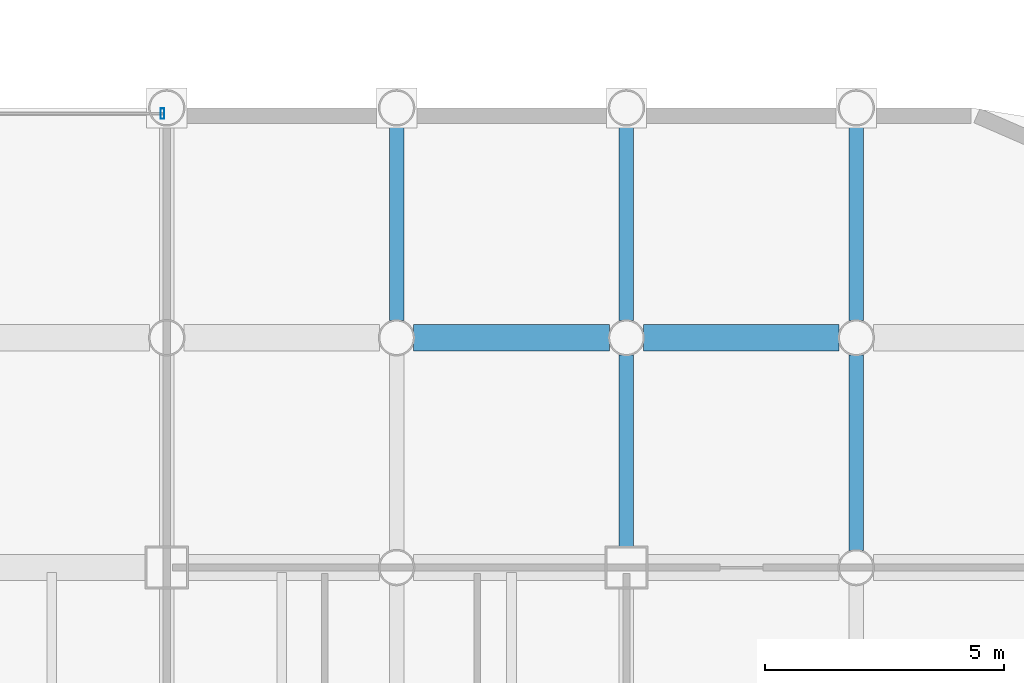
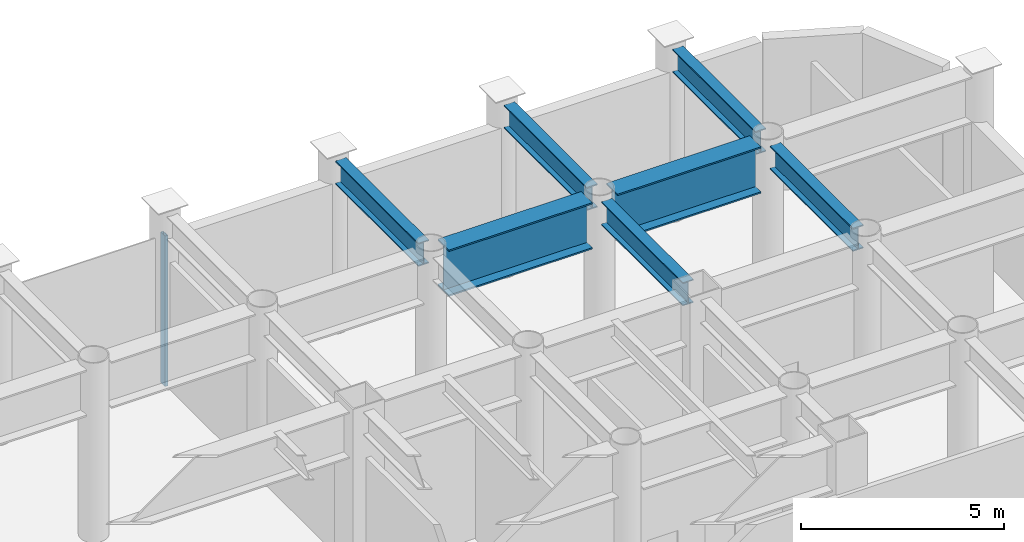
# One storey, part 12 of 20: 7 beams, 1 member, 1 element without a shape of its own.
"""IFC4 building model written with IfcOpenShell, lengths in metres."""

from ifc_helpers import new_model, si_unit, direction, frame, origin, origin_2d, place, context, subcontext, project, spatial, hollow_rectangle, i_section, extrude, material, layer, layer_set, material_profile, profile_set, type_object, element, aggregate, save


model = new_model("IFC4")

# Units and contexts
model_context = context("Model", 3, precision=1e-05, world=origin(), true_north=direction((0.0, 1.0)))
body_context = subcontext(model_context, "Body", "Model", "MODEL_VIEW")
ifc_project = project(units=[si_unit("LENGTHUNIT", "METRE"), si_unit("AREAUNIT", "SQUARE_METRE"), si_unit("VOLUMEUNIT", "CUBIC_METRE"), si_unit("PLANEANGLEUNIT", "RADIAN"), si_unit("MASSUNIT", "GRAM", prefix="KILO")], contexts=[model_context])

# Site, building, storey
site_placement = place(None, origin())
site = spatial("IfcSite", under=ifc_project, at=site_placement, CompositionType="ELEMENT")
building_placement = place(site_placement, origin())
building = spatial("IfcBuilding", under=site, at=building_placement, Name="Kallvorn Hotel Tower", CompositionType="ELEMENT")
storey_placement = place(building_placement, frame((0.0, 0.0, 24.60009765625)))
storey = spatial("IfcBuildingStorey", under=building, at=storey_placement, Name="L04", CompositionType="ELEMENT", Elevation=24.60009765625)

# Beams
ifc_material_1 = material(Name="Structural steel S355JR", Category="steel")
ifc_material_profile_1 = material_profile(ifc_material_1, i_section(OverallWidth=0.300048828125, OverallDepth=0.699951171875, WebThickness=0.01708984375, FlangeThickness=0.031982421875, at=origin_2d()), Name="HE 700 B")
ifc_profile_set_1 = profile_set([ifc_material_profile_1], Name="Structural steel S355JR")
beam_type_1 = type_object("IfcBeamType", Name="BM_HE700B", PredefinedType="BEAM", material=ifc_profile_set_1)
beam_1_placement = place(storey_placement, frame((19.199951171875, 19.555908203125, 4.869873046875), z_axis=(0.0, 1.0, 0.0), x_axis=(-1.0, 0.0, 0.0)))
element("IfcBeam", 1, at=beam_1_placement, inside=storey, type_object=beam_type_1, Name="L05 Primary Y-Girder 161", PredefinedType="BEAM", context=body_context, shape_type="SweptSolid", body=[
    extrude(i_section(OverallWidth=0.300048828125, OverallDepth=0.699951171875, WebThickness=0.01708984375, FlangeThickness=0.031982421875, at=origin_2d()), origin(), (0.0, 0.0, 1.0), 4.088134765625),
])
beam_2_placement = place(storey_placement, frame((24.0, 14.824951171875, 4.869873046875), z_axis=(0.0, 1.0, 0.0), x_axis=(-1.0, 0.0, 0.0)))
element("IfcBeam", 2, at=beam_2_placement, inside=storey, type_object=beam_type_1, Name="L05 Primary Y-Girder 168", PredefinedType="BEAM", context=body_context, shape_type="SweptSolid", body=[
    extrude(i_section(OverallWidth=0.300048828125, OverallDepth=0.699951171875, WebThickness=0.01708984375, FlangeThickness=0.031982421875, at=origin_2d()), origin(), (0.0, 0.0, 1.0), 4.01904296875),
])
beam_3_placement = place(storey_placement, frame((24.0, 19.555908203125, 4.869873046875), z_axis=(0.0, 1.0, 0.0), x_axis=(-1.0, 0.0, 0.0)))
element("IfcBeam", 3, at=beam_3_placement, inside=storey, type_object=beam_type_1, Name="L05 Primary Y-Girder 169", PredefinedType="BEAM", context=body_context, shape_type="SweptSolid", body=[
    extrude(i_section(OverallWidth=0.300048828125, OverallDepth=0.699951171875, WebThickness=0.01708984375, FlangeThickness=0.031982421875, at=origin_2d()), origin(), (0.0, 0.0, 1.0), 4.088134765625),
])
beam_4_placement = place(storey_placement, frame((28.800048828125, 14.756103515625, 4.869873046875), z_axis=(0.0, 1.0, 0.0), x_axis=(-1.0, 0.0, 0.0)))
element("IfcBeam", 4, at=beam_4_placement, inside=storey, type_object=beam_type_1, Name="L05 Primary Y-Girder 178", PredefinedType="BEAM", context=body_context, shape_type="SweptSolid", body=[
    extrude(i_section(OverallWidth=0.300048828125, OverallDepth=0.699951171875, WebThickness=0.01708984375, FlangeThickness=0.031982421875, at=origin_2d()), origin(), (0.0, 0.0, 1.0), 4.087890625),
])
beam_5_placement = place(storey_placement, frame((28.800048828125, 19.555908203125, 4.869873046875), z_axis=(0.0, 1.0, 0.0), x_axis=(-1.0, 0.0, 0.0)))
element("IfcBeam", 5, at=beam_5_placement, inside=storey, type_object=beam_type_1, Name="L05 Primary Y-Girder 179", PredefinedType="BEAM", context=body_context, shape_type="SweptSolid", body=[
    extrude(i_section(OverallWidth=0.300048828125, OverallDepth=0.699951171875, WebThickness=0.01708984375, FlangeThickness=0.031982421875, at=origin_2d()), origin(), (0.0, 0.0, 1.0), 4.088134765625),
])
ifc_material_2 = material(Name="Structural steel S355JR", Category="steel")
ifc_material_profile_2 = material_profile(ifc_material_2, i_section(OverallWidth=0.550048828125, OverallDepth=1.39990234375, WebThickness=0.02490234375, FlangeThickness=0.044921875, at=origin_2d()), Name="PG 1400x550x25x45")
ifc_profile_set_2 = profile_set([ifc_material_profile_2], Name="Structural steel S355JR")
beam_type_2 = type_object("IfcBeamType", Name="BM_PG_1400", PredefinedType="BEAM", material=ifc_profile_set_2)
for number, where, z_axis, x_axis, name in (
    (6, (19.555908203125, 19.199951171875, 4.52001953125), (1.0, 0.0, 0.0), (0.0, 1.0, 0.0), "L05 Primary X-Girder 85"),
    (7, (24.35595703125, 19.199951171875, 4.52001953125), (1.0, 0.0, 0.0), (0.0, 1.0, 0.0), "L05 Primary X-Girder 86"),
):
    element("IfcBeam", number, at=place(storey_placement, frame(where, z_axis=z_axis, x_axis=x_axis)), inside=storey, type_object=beam_type_2, Name=name, PredefinedType="BEAM", context=body_context, shape_type="SweptSolid", body=[
        extrude(i_section(OverallWidth=0.550048828125, OverallDepth=1.39990234375, WebThickness=0.02490234375, FlangeThickness=0.044921875, at=origin_2d()), origin(), (0.0, 0.0, 1.0), 4.088134765625),
    ])

# Curtain wall, member
ifc_material_3 = material(Name="Thermally broken black-anodised aluminium AA 6063-T6", Category="aluminium")
ifc_layer = layer(ifc_material_3, 0.219970703125)
ifc_layer_set = layer_set([ifc_layer], Name="CW_SYS_2_PODIUM_CASC")
curtain_wall_type = type_object("IfcCurtainWallType", Name="CW_SYS_2_PODIUM_CASC", PredefinedType="USERDEFINED", material=ifc_layer_set)
curtain_wall_placement = place(storey_placement, origin())
curtain_wall = element("IfcCurtainWall", 8, at=curtain_wall_placement, inside=storey, type_object=curtain_wall_type, Name="L04 Dark-Glass Curtain Wall CW-L04-N3", ObjectType="UNITISED CURTAIN WALL", PredefinedType="USERDEFINED")
ifc_material_4 = material(Name="Thermally broken black-anodised aluminium AA 6063-T6", Category="aluminium")
ifc_material_profile_3 = material_profile(ifc_material_4, hollow_rectangle(XDim=0.080078125, YDim=0.219970703125, WallThickness=0.0048828125, at=origin_2d()), Name="MUL 220x80")
ifc_profile_set_3 = profile_set([ifc_material_profile_3], Name="Thermally broken black-anodised aluminium AA 6063-T6")
member_type = type_object("IfcMemberType", Name="CW_MULLION_220x80", PredefinedType="MULLION", material=ifc_profile_set_3)
member_placement = place(storey_placement, frame((14.31005859375, 23.8798828125, 0.02001953125), z_axis=(0.0, 0.0, 1.0), x_axis=(1.0, 0.0, 0.0)))
member = element("IfcMember", 9, at=member_placement, type_object=member_type, Name="CW-L04-N3 Mullion 01", PredefinedType="MULLION", context=body_context, shape_type="SweptSolid", body=[
    extrude(hollow_rectangle(XDim=0.080078125, YDim=0.219970703125, WallThickness=0.0048828125, at=origin_2d()), origin(), (0.0, 0.0, 1.0), 4.52978515625),
])
aggregate(curtain_wall, [member])

save(model, "model.ifc")
